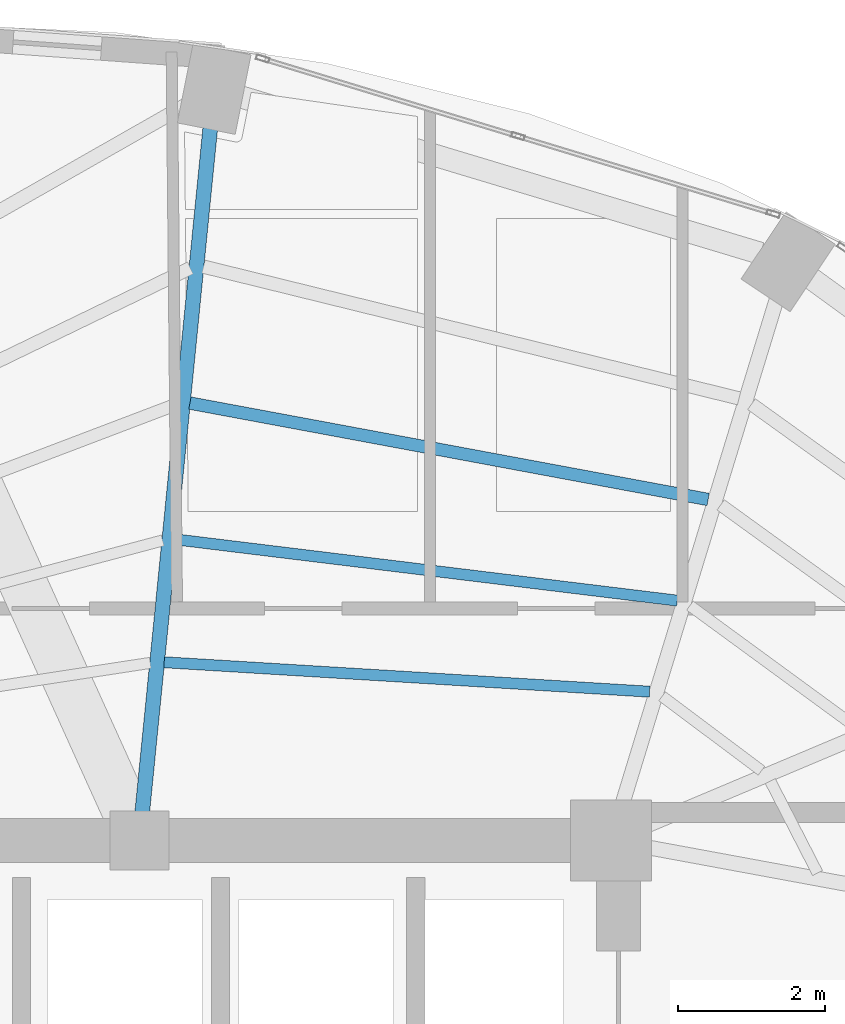
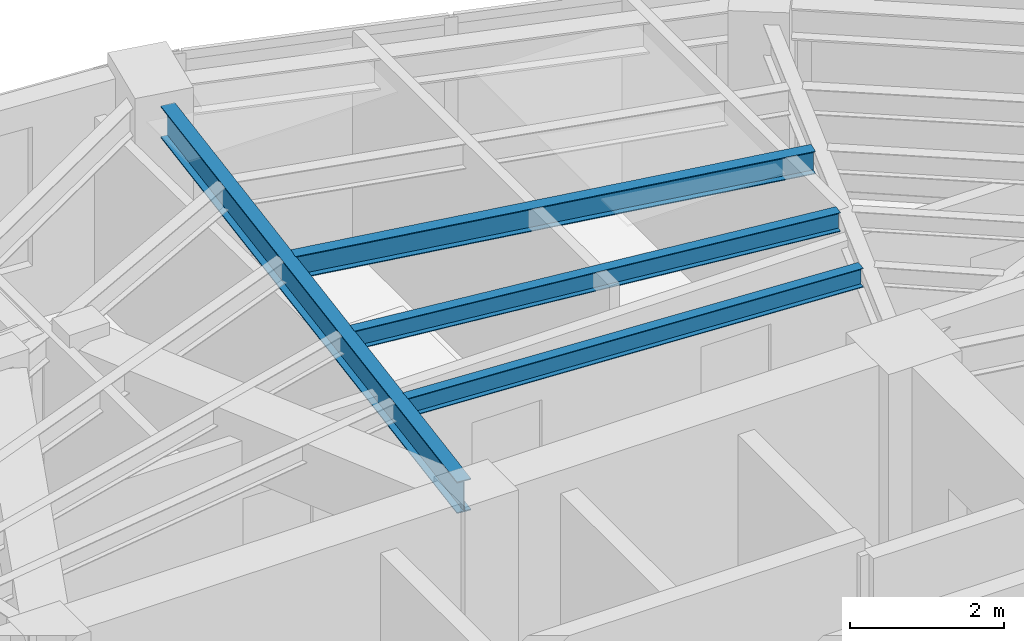
# One storey, part 10 of 21: 4 beams.
"""IFC4 building model written with IfcOpenShell, lengths in metres."""

from ifc_helpers import new_model, si_unit, direction, frame, origin, origin_2d, place, context, subcontext, project, spatial, i_section, extrude, material, material_profile, profile_set, type_object, element, save


model = new_model("IFC4")

# Units and contexts
model_context = context("Model", 3, precision=1e-05, world=origin(), true_north=direction((0.0, 1.0)))
body_context = subcontext(model_context, "Body", "Model", "MODEL_VIEW")
ifc_project = project(units=[si_unit("LENGTHUNIT", "METRE"), si_unit("AREAUNIT", "SQUARE_METRE"), si_unit("VOLUMEUNIT", "CUBIC_METRE"), si_unit("PLANEANGLEUNIT", "RADIAN"), si_unit("MASSUNIT", "GRAM", prefix="KILO")], contexts=[model_context])

# Site, building, storey
site_placement = place(None, origin())
site = spatial("IfcSite", under=ifc_project, at=site_placement, CompositionType="ELEMENT")
building_placement = place(site_placement, origin())
building = spatial("IfcBuilding", under=site, at=building_placement, Name="Lazwardi Medical Tower", CompositionType="ELEMENT")
storey_placement = place(building_placement, frame((0.0, 0.0, 220.367919921875)))
storey = spatial("IfcBuildingStorey", under=building, at=storey_placement, Name="L57", CompositionType="ELEMENT", Elevation=220.367919921875)

# Beams
ifc_material = material(Name="Steel S355", Category="steel")
ifc_material_profile_1 = material_profile(ifc_material, i_section(OverallWidth=0.199951171875, OverallDepth=0.5, WebThickness=0.01025390625, FlangeThickness=0.01611328125, at=origin_2d()), Name="IPE 500")
ifc_profile_set_1 = profile_set([ifc_material_profile_1], Name="Steel S355")
beam_type_1 = type_object("IfcBeamType", Name="BM-RG-W3", PredefinedType="BEAM", material=ifc_profile_set_1)
beam_1_placement = place(storey_placement, frame((40.1611328125, 45.265869140625, 3.197998046875), z_axis=(-0.098954361922, -0.995091972763, 0.0), x_axis=(0.995091972763, -0.098954361922, 0.0)))
element("IfcBeam", 1, at=beam_1_placement, inside=storey, type_object=beam_type_1, Name="Radial girder RG-04 R08 L57", PredefinedType="BEAM", context=body_context, shape_type="SweptSolid", body=[
    extrude(i_section(OverallWidth=0.199951171875, OverallDepth=0.5, WebThickness=0.01025390625, FlangeThickness=0.01611328125, at=origin_2d()), origin(), (0.0, 0.0, 1.0), 9.32861328125),
])
ifc_material_profile_2 = material_profile(ifc_material, i_section(OverallWidth=0.169921875, OverallDepth=0.360107421875, WebThickness=0.008056640625, FlangeThickness=0.0126953125, at=origin_2d()), Name="IPE 360")
ifc_profile_set_2 = profile_set([ifc_material_profile_2], Name="Steel S355")
beam_type_2 = type_object("IfcBeamType", Name="BM-SJ-02", PredefinedType="JOIST", material=ifc_profile_set_2)
beam_2_placement = place(storey_placement, frame((46.91552734375, 40.2275390625, 3.26806640625), z_axis=(-0.983132476587, 0.182894870019, 0.0), x_axis=(-0.182894870019, -0.983132476587, 0.0)))
element("IfcBeam", 2, at=beam_2_placement, inside=storey, type_object=beam_type_2, Name="Secondary joist SJ-02 R2 B07 L57", PredefinedType="JOIST", context=body_context, shape_type="SweptSolid", body=[
    extrude(i_section(OverallWidth=0.169921875, OverallDepth=0.360107421875, WebThickness=0.008056640625, FlangeThickness=0.0126953125, at=origin_2d()), origin(), (0.0, 0.0, 1.0), 7.15087890625),
])
ifc_material_profile_3 = material_profile(ifc_material, i_section(OverallWidth=0.14990234375, OverallDepth=0.300048828125, WebThickness=0.007080078125, FlangeThickness=0.0107421875, at=origin_2d()), Name="IPE 300")
ifc_profile_set_3 = profile_set([ifc_material_profile_3], Name="Steel S355")
beam_type_3 = type_object("IfcBeamType", Name="BM-SJ-03", PredefinedType="JOIST", material=ifc_profile_set_3)
beam_3_placement = place(storey_placement, frame((46.4970703125, 38.85546875, 3.298095703125), z_axis=(-0.992634689535, 0.121146081783, 0.0), x_axis=(-0.121146081783, -0.992634689535, 0.0)))
element("IfcBeam", 3, at=beam_3_placement, inside=storey, type_object=beam_type_3, Name="Secondary joist SJ-03 R3 B07 L57", PredefinedType="JOIST", context=body_context, shape_type="SweptSolid", body=[
    extrude(i_section(OverallWidth=0.14990234375, OverallDepth=0.300048828125, WebThickness=0.007080078125, FlangeThickness=0.0107421875, at=origin_2d()), origin(), (0.0, 0.0, 1.0), 6.845947265625),
])
beam_4_placement = place(storey_placement, frame((46.120849609375, 37.6201171875, 3.298095703125), z_axis=(-0.998165515862, 0.060544223044, 0.0), x_axis=(-0.060544223044, -0.998165515862, 0.0)))
element("IfcBeam", 4, at=beam_4_placement, inside=storey, type_object=beam_type_3, Name="Secondary joist SJ-03 R4 B07 L57", PredefinedType="JOIST", context=body_context, shape_type="SweptSolid", body=[
    extrude(i_section(OverallWidth=0.14990234375, OverallDepth=0.300048828125, WebThickness=0.007080078125, FlangeThickness=0.0107421875, at=origin_2d()), origin(), (0.0, 0.0, 1.0), 6.59716796875),
])

save(model, "model.ifc")
